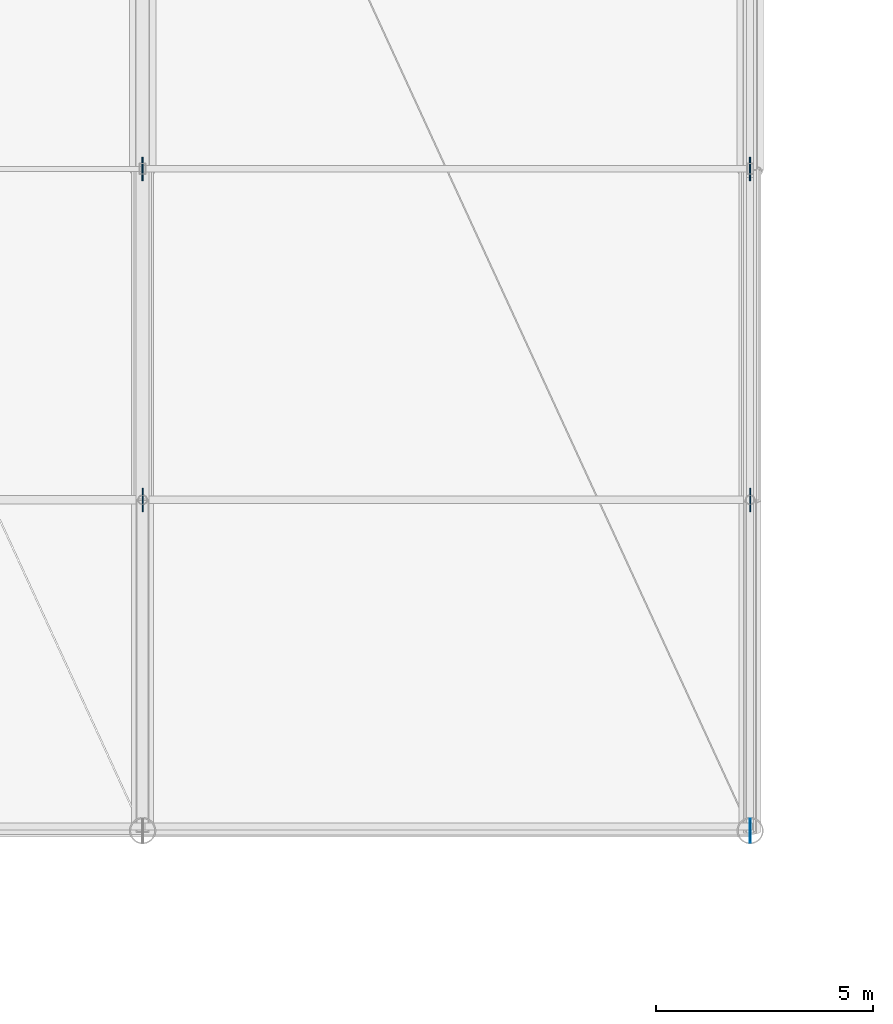
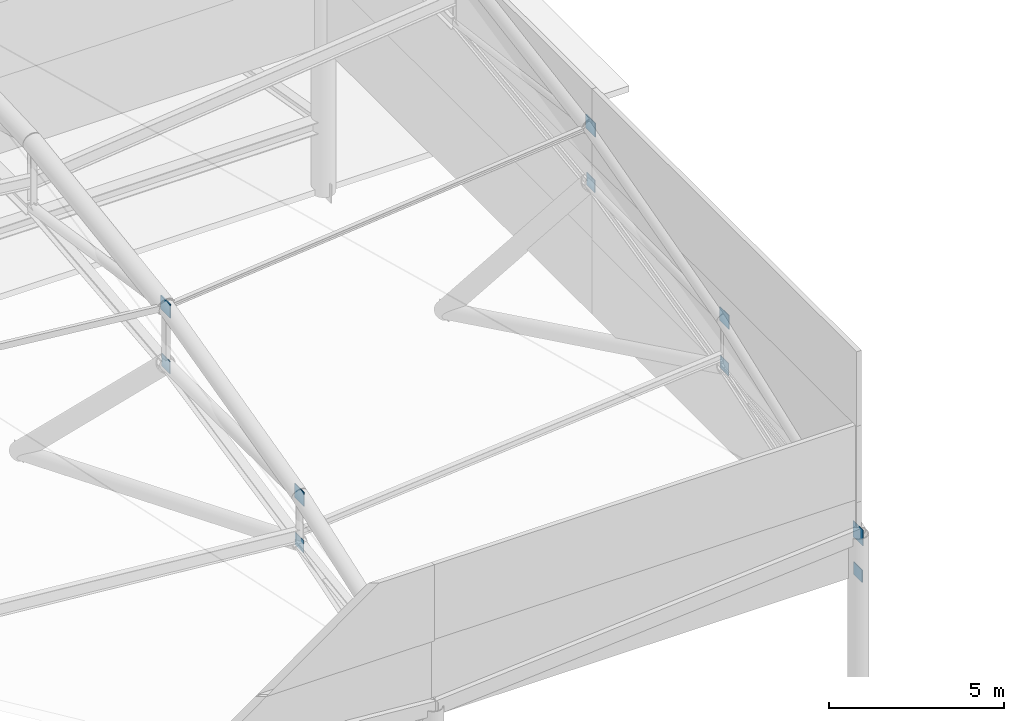
# One storey, part 85 of 113: 10 plates.
"""IFC4 building model written with IfcOpenShell, lengths in metres."""

import ifcopenshell
import ifcopenshell.guid

model = None  # the IFC model being written
_history = None  # IfcOwnerHistory: only IFC2X3 demands one
_inside = {}  # id of a spatial element -> (the spatial element, [elements in it])
_under = {}  # id of a project, library or spatial element -> (it, [spatial elements below it])
_declared = {}  # id of a project -> (the project, [libraries it declares])
_typed = {}  # id of a type object -> (the type object, [elements of that type])
_made_of = {}  # id of a material, layer set ... -> (it, [elements and type objects made of it])


def new_model(schema):
    """Start an empty IFC model of exactly this schema.

    Asked for "IFC4X3", IfcOpenShell would pick the latest addendum, in which some entities
    have other attributes; the version numbers below select the first issue.
    IFC2X3 requires an IfcOwnerHistory on every rooted entity: one is made here for all.
    """
    global model, _history
    if schema == "IFC4X3":
        model = ifcopenshell.file(schema_version=(4, 3, 0, 0))
    else:
        model = ifcopenshell.file(schema=schema)
    _inside.clear()
    _under.clear()
    _declared.clear()
    _typed.clear()
    _made_of.clear()
    _history = None
    if model.schema == "IFC2X3":
        org = make("IfcOrganization", Name="unknown")
        user = make(
            "IfcPersonAndOrganization",
            ThePerson=make("IfcPerson", FamilyName="unknown"),
            TheOrganization=org,
        )
        app = make(
            "IfcApplication",
            ApplicationDeveloper=org,
            Version="unknown",
            ApplicationFullName="unknown",
            ApplicationIdentifier="unknown",
        )
        _history = make(
            "IfcOwnerHistory",
            OwningUser=user,
            OwningApplication=app,
            ChangeAction="ADDED",
            CreationDate=0,
        )
    return model


def make(cls, **values):
    """One entity of the class cls with the attributes given. An attribute that is None is left unset."""
    return model.create_entity(
        cls, **{name: value for name, value in values.items() if value is not None}
    )


def rooted(cls, **values):
    """An entity with a GlobalId (a new one), such as an element, a storey or a relation."""
    return make(cls, GlobalId=ifcopenshell.guid.new(), OwnerHistory=_history, **values)


def si_unit(unit_type, name, prefix=None):
    """IfcSIUnit, for example si_unit("LENGTHUNIT", "METRE", prefix="MILLI")."""
    return make("IfcSIUnit", UnitType=unit_type, Prefix=prefix, Name=name)


def assignment(units):
    """IfcUnitAssignment: the units of a project."""
    return None if units is None else make("IfcUnitAssignment", Units=units)


def point(xyz):
    """IfcCartesianPoint."""
    return None if xyz is None else make("IfcCartesianPoint", Coordinates=xyz)


def direction(xyz):
    """IfcDirection."""
    return None if xyz is None else make("IfcDirection", DirectionRatios=xyz)


def frame(location, z_axis=None, x_axis=None):
    """IfcAxis2Placement3D, a coordinate frame: its origin and axes. An axis left out is left unset."""
    return make(
        "IfcAxis2Placement3D",
        Location=point(location),
        Axis=direction(z_axis),
        RefDirection=direction(x_axis),
    )


def frame_2d(location, x_axis=None):
    """IfcAxis2Placement2D, a coordinate frame in the plane: its origin and x axis."""
    return make(
        "IfcAxis2Placement2D", Location=point(location), RefDirection=direction(x_axis)
    )


def origin():
    """The frame at (0, 0, 0) with its axes left unset."""
    return frame((0.0, 0.0, 0.0))


def origin_2d():
    """The frame at (0, 0) in the plane with its x axis left unset."""
    return frame_2d((0.0, 0.0))


def place(relative_to, where):
    """IfcLocalPlacement: puts the frame where relative to a parent placement (None: the world)."""
    return make(
        "IfcLocalPlacement", PlacementRelTo=relative_to, RelativePlacement=where
    )


def context(
    kind, dimensions, precision=None, world=None, true_north=None, identifier=None
):
    """IfcGeometricRepresentationContext, for example the 3D "Model" context."""
    return make(
        "IfcGeometricRepresentationContext",
        ContextIdentifier=identifier,
        ContextType=kind,
        CoordinateSpaceDimension=dimensions,
        Precision=precision,
        WorldCoordinateSystem=world,
        TrueNorth=true_north,
    )


def subcontext(parent, identifier, kind, view, scale=None):
    """IfcGeometricRepresentationSubContext, for example "Body" below "Model"."""
    return make(
        "IfcGeometricRepresentationSubContext",
        ContextIdentifier=identifier,
        ContextType=kind,
        ParentContext=parent,
        TargetScale=scale,
        TargetView=view,
    )


def project(units=None, contexts=None):
    """IfcProject with its units and contexts."""
    return rooted(
        "IfcProject",
        Name="project",
        RepresentationContexts=contexts,
        UnitsInContext=assignment(units),
    )


def spatial(cls, under=None, at=None, **own):
    """A site, building, storey or space (cls), placed at a placement, below another one or the project."""
    s = rooted(cls, ObjectPlacement=at, **own)
    if under is not None:
        _under.setdefault(under.id(), (under, []))[1].append(s)
    return s


def profile(cls, at=None, kind="AREA", **sizes):
    """A parametric profile (cls). Its sizes go by their IFC names, for example OverallWidth=200.0."""
    return make(cls, ProfileType=kind, Position=at, **sizes)


def rectangle(**sizes):
    """IfcRectangleProfileDef."""
    return profile("IfcRectangleProfileDef", **sizes)


def extrude(swept, where, along, depth):
    """IfcExtrudedAreaSolid: the profile swept, set in the frame where, extruded along a direction by depth."""
    return make(
        "IfcExtrudedAreaSolid",
        SweptArea=swept,
        Position=where,
        ExtrudedDirection=direction(along),
        Depth=depth,
    )


def shape(context_of_items, identifier, shape_type, items):
    """IfcShapeRepresentation: the items that make up one representation, for example the "Body"."""
    return make(
        "IfcShapeRepresentation",
        ContextOfItems=context_of_items,
        RepresentationIdentifier=identifier,
        RepresentationType=shape_type,
        Items=items,
    )


def material(Name=None, Category=None):
    """IfcMaterial."""
    return make("IfcMaterial", Name=Name, Category=Category)


def layer(
    of_material, thickness, ventilated=None, Name=None, Category=None, Priority=None
):
    """IfcMaterialLayer: one layer of a wall or slab, of a material (None: an air gap)."""
    return make(
        "IfcMaterialLayer",
        Material=of_material,
        LayerThickness=thickness,
        IsVentilated=ventilated,
        Name=Name,
        Category=Category,
        Priority=Priority,
    )


def layer_set(layers, Name=None):
    """IfcMaterialLayerSet."""
    return make("IfcMaterialLayerSet", MaterialLayers=layers, LayerSetName=Name)


def made_of(thing, what):
    """Note that an element or type object is made of a material, layer set ...; save() writes the relation."""
    if what is not None:
        _made_of.setdefault(what.id(), (what, []))[1].append(thing)
    return thing


def type_object(cls, material=None, **own):
    """A type object (cls), such as IfcWallType, which elements share."""
    return made_of(rooted(cls, **own), material)


def element(
    cls,
    number,
    at=None,
    inside=None,
    cuts=None,
    type_object=None,
    material=None,
    context=None,
    identifier="Body",
    shape_type=None,
    held_by="IfcProductDefinitionShape",
    body=None,
    shapes=None,
    **own,
):
    """One element of the class cls, such as IfcWall. Its Tag is "e" and its number.

    at: its placement. inside: the storey or other place that contains it. cuts: it is an
    opening in that element (IfcRelVoidsElement). A single representation is given by context,
    identifier, shape_type and body (its items); several are given by shapes. held_by: the class
    of the entity that holds the representations. save() writes the other relations.
    """
    e = rooted(cls, Tag="e%d" % number, ObjectPlacement=at, **own)
    if body is not None:
        shapes = [shape(context, identifier, shape_type, body)]
    if shapes is not None:
        e.Representation = make(held_by, Representations=shapes)
    if inside is not None:
        _inside.setdefault(inside.id(), (inside, []))[1].append(e)
    if cuts is not None:
        rooted(
            "IfcRelVoidsElement", RelatingBuildingElement=cuts, RelatedOpeningElement=e
        )
    if type_object is not None:
        _typed.setdefault(type_object.id(), (type_object, []))[1].append(e)
    return made_of(e, material)


def aggregate(whole, parts):
    """IfcRelAggregates: a whole, such as a stair, and the parts it consists of."""
    return rooted("IfcRelAggregates", RelatingObject=whole, RelatedObjects=parts)


def save(model, path):
    """Write the relations noted so far, then the file.

    IfcRelAggregates (storeys below a building ...), IfcRelContainedInSpatialStructure (elements
    in a storey), IfcRelDefinesByType, IfcRelAssociatesMaterial and IfcRelDeclares: one each for
    every whole, place, type object, material and project.
    """
    for whole, parts in _under.values():
        aggregate(whole, parts)
    for where, things in _inside.values():
        rooted(
            "IfcRelContainedInSpatialStructure",
            RelatedElements=things,
            RelatingStructure=where,
        )
    for kind, things in _typed.values():
        rooted("IfcRelDefinesByType", RelatedObjects=things, RelatingType=kind)
    for what, things in _made_of.values():
        rooted("IfcRelAssociatesMaterial", RelatedObjects=things, RelatingMaterial=what)
    for by, libraries in _declared.values():
        rooted("IfcRelDeclares", RelatingContext=by, RelatedDefinitions=libraries)
    model.write(path)


model = new_model("IFC4")

# Units and contexts
model_context = context("Model", 3, precision=1e-05, world=origin(), true_north=direction((0.0, 1.0)))
body_context = subcontext(model_context, "Body", "Model", "MODEL_VIEW")
ifc_project = project(units=[si_unit("LENGTHUNIT", "METRE"), si_unit("AREAUNIT", "SQUARE_METRE"), si_unit("VOLUMEUNIT", "CUBIC_METRE"), si_unit("PLANEANGLEUNIT", "RADIAN"), si_unit("MASSUNIT", "GRAM", prefix="KILO")], contexts=[model_context])

# Site, building, storey
site_placement = place(None, origin())
site = spatial("IfcSite", under=ifc_project, at=site_placement, CompositionType="ELEMENT")
building_placement = place(site_placement, origin())
building = spatial("IfcBuilding", under=site, at=building_placement, Name="Linyun Crest Stadium", CompositionType="ELEMENT")
storey_placement = place(building_placement, frame((0.0, 0.0, 26.39990234375)))
storey = spatial("IfcBuildingStorey", under=building, at=storey_placement, Name="L06", CompositionType="ELEMENT", Elevation=26.39990234375)

# Plates
ifc_material_1 = material(Name="Steel Q355C", Category="steel")
ifc_layer_1 = layer(ifc_material_1, 0.02001953125)
ifc_layer_set_1 = layer_set([ifc_layer_1], Name="Steel Q355C")
plate_type_1 = type_object("IfcPlateType", Name="EP01", PredefinedType="USERDEFINED", material=ifc_layer_set_1)
plate_1_placement = place(storey_placement, frame((28.0, 61.0, 6.072998046875), z_axis=(0.0, 0.0, 1.0), x_axis=(0.0, 1.0, 0.0)))
element("IfcPlate", 1, at=plate_1_placement, inside=storey, type_object=plate_type_1, Name="Canopy tip tube end plate EP01 266", ObjectType="END PLATE", PredefinedType="USERDEFINED", context=body_context, shape_type="SweptSolid", body=[
    extrude(rectangle(XDim=0.56005859375, YDim=0.02001953125, at=origin_2d()), origin(), (0.0, 0.0, 1.0), 0.56005859375),
])
ifc_material_2 = material(Name="Steel Q355C", Category="steel")
ifc_layer_2 = layer(ifc_material_2, 0.02392578125)
ifc_layer_set_2 = layer_set([ifc_layer_2], Name="Steel Q355C")
plate_type_2 = type_object("IfcPlateType", Name="NP01", PredefinedType="USERDEFINED", material=ifc_layer_set_2)
plate_2_placement = place(storey_placement, frame((14.0, 68.625, 7.734130859375), z_axis=(0.0, 0.0, 1.0), x_axis=(0.0, 1.0, 0.0)))
element("IfcPlate", 2, at=plate_2_placement, inside=storey, type_object=plate_type_2, Name="Roof truss node gusset plate NP01 252", ObjectType="GUSSET PLATE", PredefinedType="USERDEFINED", context=body_context, shape_type="SweptSolid", body=[
    extrude(rectangle(XDim=0.5400390625, YDim=0.02392578125, at=origin_2d()), origin(), (0.0, 0.0, 1.0), 0.47998046875),
])
for number, where, z_axis, x_axis, name in (
    (3, (14.0, 76.25, 7.703125), (0.0, 0.0, 1.0), (0.0, 1.0, 0.0), "Roof bottom-chord node gusset plate NP01 257"),
    (4, (14.0, 68.625, 6.090087890625), (0.0, 0.0, 1.0), (0.0, 1.0, 0.0), "Roof bottom-chord node gusset plate NP01 258"),
):
    element("IfcPlate", number, at=place(storey_placement, frame(where, z_axis=z_axis, x_axis=x_axis)), inside=storey, type_object=plate_type_2, Name=name, ObjectType="GUSSET PLATE", PredefinedType="USERDEFINED", context=body_context, shape_type="SweptSolid", body=[
        extrude(rectangle(XDim=0.47998046875, YDim=0.02392578125, at=origin_2d()), origin(), (0.0, 0.0, 1.0), 0.43994140625),
    ])
plate_3_placement = place(storey_placement, frame((28.0, 68.625, 8.987060546875), z_axis=(0.0, 0.0, 1.0), x_axis=(0.0, 1.0, 0.0)))
element("IfcPlate", 5, at=plate_3_placement, inside=storey, type_object=plate_type_2, Name="Roof truss node gusset plate NP01 265", ObjectType="GUSSET PLATE", PredefinedType="USERDEFINED", context=body_context, shape_type="SweptSolid", body=[
    extrude(rectangle(XDim=0.5400390625, YDim=0.02392578125, at=origin_2d()), origin(), (0.0, 0.0, 1.0), 0.47998046875),
])
for number, where, z_axis, x_axis, name in (
    (6, (28.0, 76.25, 9.106201171875), (0.0, 0.0, 1.0), (0.0, 1.0, 0.0), "Roof bottom-chord node gusset plate NP01 270"),
    (7, (28.0, 68.625, 7.343017578125), (0.0, 0.0, 1.0), (0.0, 1.0, 0.0), "Roof bottom-chord node gusset plate NP01 271"),
    (8, (28.0, 61.0, 4.781005859375), (0.0, 0.0, 1.0), (0.0, 1.0, 0.0), "Roof bottom-chord node gusset plate NP01 272"),
):
    element("IfcPlate", number, at=place(storey_placement, frame(where, z_axis=z_axis, x_axis=x_axis)), inside=storey, type_object=plate_type_2, Name=name, ObjectType="GUSSET PLATE", PredefinedType="USERDEFINED", context=body_context, shape_type="SweptSolid", body=[
        extrude(rectangle(XDim=0.47998046875, YDim=0.02392578125, at=origin_2d()), origin(), (0.0, 0.0, 1.0), 0.43994140625),
    ])
ifc_material_3 = material(Name="Steel Q420C", Category="steel")
ifc_layer_3 = layer(ifc_material_3, 0.035888671875)
ifc_layer_set_3 = layer_set([ifc_layer_3], Name="Steel Q420C")
plate_type_3 = type_object("IfcPlateType", Name="NP04", PredefinedType="USERDEFINED", material=ifc_layer_set_3)
for number, where, z_axis, x_axis, name in (
    (9, (14.0, 76.25, 9.6591796875), (0.0, 0.0, 1.0), (0.0, 1.0, 0.0), "Roof truss node gusset plate NP04 251"),
    (10, (28.0, 76.25, 11.06201171875), (0.0, 0.0, 1.0), (0.0, 1.0, 0.0), "Roof truss node gusset plate NP04 264"),
):
    element("IfcPlate", number, at=place(storey_placement, frame(where, z_axis=z_axis, x_axis=x_axis)), inside=storey, type_object=plate_type_3, Name=name, ObjectType="GUSSET PLATE", PredefinedType="USERDEFINED", context=body_context, shape_type="SweptSolid", body=[
        extrude(rectangle(XDim=0.5400390625, YDim=0.035888671875, at=origin_2d()), origin(), (0.0, 0.0, 1.0), 0.47998046875),
    ])

save(model, "model.ifc")
